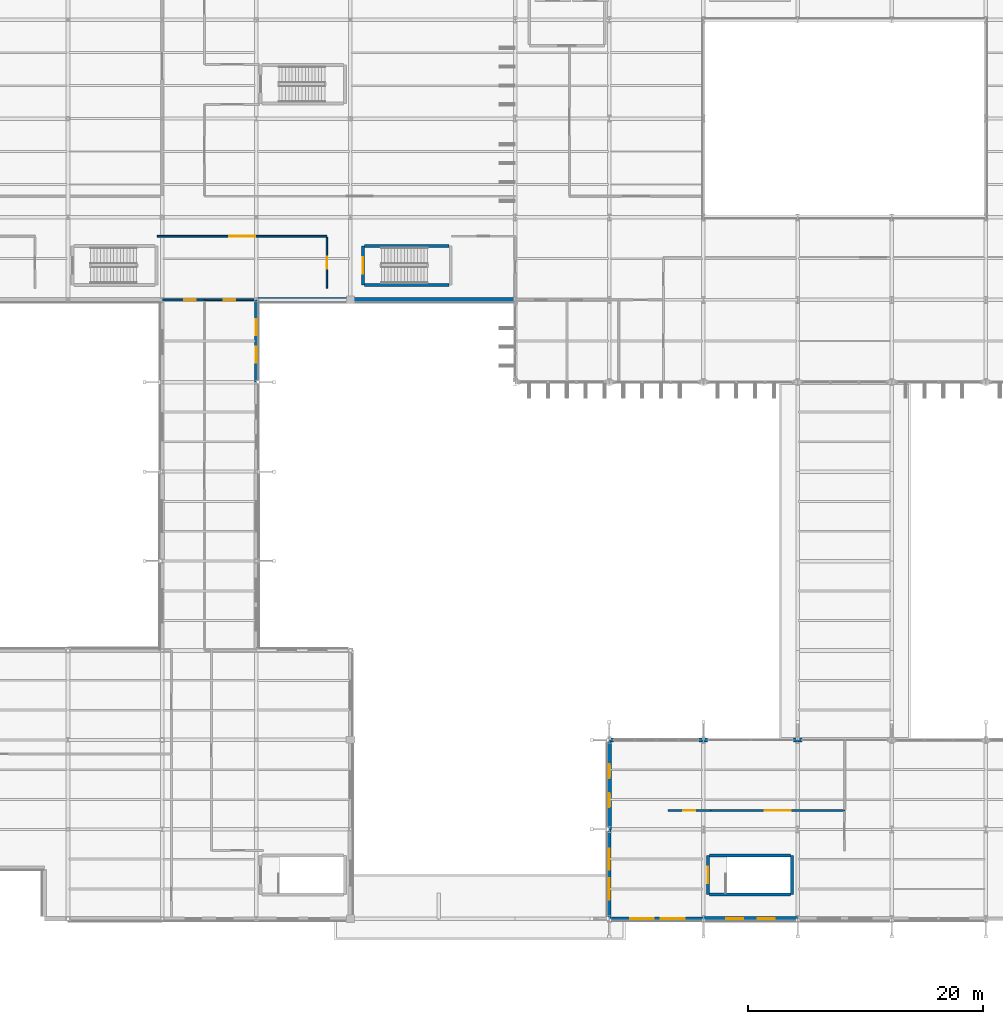
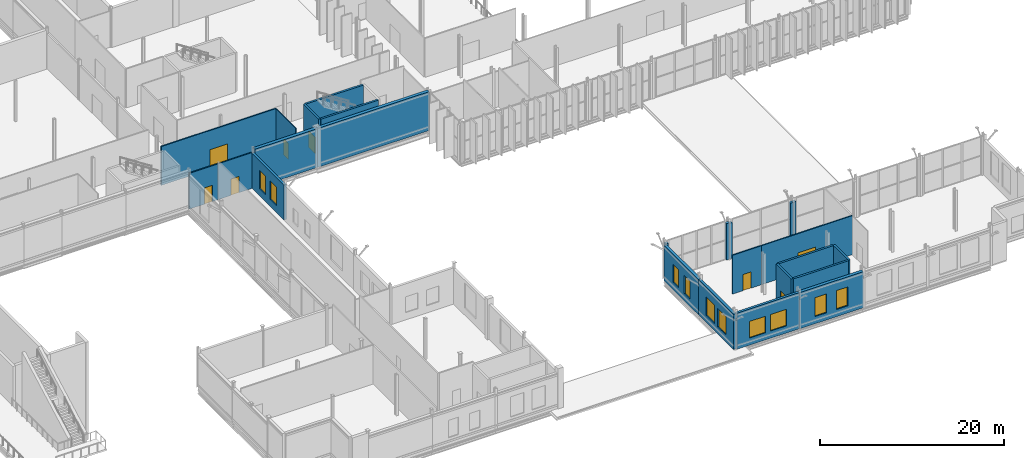
# One storey, part 117 of 147: 25 walls, 10 windows, 8 doors, 18 openings.
"""IFC4 building model written with IfcOpenShell, lengths in metres."""

from ifc_helpers import new_model, si_unit, direction, frame, frame_2d, origin, place, context, subcontext, project, spatial, rectangle, extrude, material, layer, layer_set, type_object, element, fill, save


model = new_model("IFC4")

# Units and contexts
model_context = context("Model", 3, precision=1e-05, world=origin(), true_north=direction((0.0, 1.0)))
body_context = subcontext(model_context, "Body", "Model", "MODEL_VIEW")
ifc_project = project(units=[si_unit("LENGTHUNIT", "METRE"), si_unit("AREAUNIT", "SQUARE_METRE"), si_unit("VOLUMEUNIT", "CUBIC_METRE"), si_unit("PLANEANGLEUNIT", "RADIAN"), si_unit("MASSUNIT", "GRAM", prefix="KILO")], contexts=[model_context])

# Site, building, storey
site_placement = place(None, origin())
site = spatial("IfcSite", under=ifc_project, at=site_placement, CompositionType="ELEMENT")
building_placement = place(site_placement, origin())
building = spatial("IfcBuilding", under=site, at=building_placement, Name="Vekula Escarpment Museum", CompositionType="ELEMENT")
storey_placement = place(building_placement, frame((0.0, 0.0, 7.800048828125)))
storey = spatial("IfcBuildingStorey", under=building, at=storey_placement, Name="L02", CompositionType="ELEMENT", Elevation=7.800048828125)

# Wall, openings, windows
ifc_material_1 = material(Name="Inkisi arkosic sandstone masonry", Category="masonry")
ifc_layer_1 = layer(ifc_material_1, 0.300048828125)
ifc_layer_set_1 = layer_set([ifc_layer_1], Name="Inkisi arkosic sandstone masonry")
wall_type_1 = type_object("IfcWallType", Name="WL-ALM-300", PredefinedType="SOLIDWALL", material=ifc_layer_set_1)
wall_1_placement = place(storey_placement, frame((48.0, 52.60009765625, 0.0), z_axis=(0.0, 0.0, 1.0), x_axis=(0.0, -1.0, 0.0)))
wall_1 = element("IfcWall", 1, at=wall_1_placement, inside=storey, type_object=wall_type_1, Name="Exterior Wall WL-EXT-L02-0327", PredefinedType="SOLIDWALL", context=body_context, shape_type="SweptSolid", body=[
    extrude(rectangle(XDim=7.0, YDim=0.300048828125, at=frame_2d((3.5, 0.0))), origin(), (0.0, 0.0, 1.0), 4.635009765625),
])
opening_1_placement = place(wall_1_placement, frame((1.658203125, 0.0, 0.949951171875)))
opening_1 = element("IfcOpeningElement", 2, at=opening_1_placement, cuts=wall_1, Name="Opening WN-31", PredefinedType="OPENING", context=body_context, shape_type="SweptSolid", body=[
    extrude(rectangle(XDim=1.35009765625, YDim=2.449951171875, at=frame_2d((0.675048828125, 1.22509765625))), frame((0.0, 0.159912109375, 0.0), z_axis=(0.0, -1.0, 0.0), x_axis=(1.0, 0.0, 0.0)), (0.0, 0.0, 1.0), 0.320068359375),
])
opening_2_placement = place(wall_1_placement, frame((3.99169921875, 0.0, 0.949951171875)))
opening_2 = element("IfcOpeningElement", 3, at=opening_2_placement, cuts=wall_1, Name="Opening WN-31", PredefinedType="OPENING", context=body_context, shape_type="SweptSolid", body=[
    extrude(rectangle(XDim=1.35009765625, YDim=2.449951171875, at=frame_2d((0.675048828125, 1.22509765625))), frame((0.0, 0.159912109375, 0.0), z_axis=(0.0, -1.0, 0.0), x_axis=(1.0, 0.0, 0.0)), (0.0, 0.0, 1.0), 0.320068359375),
])
ifc_material_2 = material(Name="Double solar-control low-E glass", Category="glass")
window_type_1 = type_object("IfcWindowType", Name="WN-GAL-13x24", PartitioningType="SINGLE_PANEL", PredefinedType="WINDOW", material=ifc_material_2)
window_1_placement = place(opening_1_placement, origin())
window_1 = element("IfcWindow", 4, at=window_1_placement, inside=storey, type_object=window_type_1, Name="Window L02-0143", OverallHeight=2.449951171875, OverallWidth=1.35009765625, PartitioningType="SINGLE_PANEL", PredefinedType="WINDOW", context=body_context, shape_type="SweptSolid", body=[
    extrude(rectangle(XDim=1.35009765625, YDim=2.449951171875, at=frame_2d((0.675048828125, 1.22509765625))), frame((0.0, 0.030029296875, 0.0), z_axis=(0.0, -1.0, 0.0), x_axis=(1.0, 0.0, 0.0)), (0.0, 0.0, 1.0), 0.06005859375),
])
fill(opening_1, window_1)
window_2_placement = place(opening_2_placement, origin())
window_2 = element("IfcWindow", 5, at=window_2_placement, inside=storey, type_object=window_type_1, Name="Window L02-0144", OverallHeight=2.449951171875, OverallWidth=1.35009765625, PartitioningType="SINGLE_PANEL", PredefinedType="WINDOW", context=body_context, shape_type="SweptSolid", body=[
    extrude(rectangle(XDim=1.35009765625, YDim=2.449951171875, at=frame_2d((0.675048828125, 1.22509765625))), frame((0.0, 0.030029296875, 0.0), z_axis=(0.0, -1.0, 0.0), x_axis=(1.0, 0.0, 0.0)), (0.0, 0.0, 1.0), 0.06005859375),
])
fill(opening_2, window_2)

wall_2_placement = place(storey_placement, frame((86.0, 0.0, 0.0), z_axis=(0.0, 0.0, 1.0), x_axis=(-1.0, 0.0, 0.0)))
wall_2 = element("IfcWall", 6, at=wall_2_placement, inside=storey, type_object=wall_type_1, Name="Exterior Wall WL-EXT-L02-0547", PredefinedType="SOLIDWALL", context=body_context, shape_type="SweptSolid", body=[
    extrude(rectangle(XDim=7.8359375, YDim=0.300048828125, at=frame_2d((3.91796875, 0.0))), origin(), (0.0, 0.0, 1.0), 4.794921875),
])
opening_3_placement = place(wall_2_placement, frame((1.612060546875, 0.0, 0.949951171875)))
opening_3 = element("IfcOpeningElement", 7, at=opening_3_placement, cuts=wall_2, Name="Opening WN-13", PredefinedType="OPENING", context=body_context, shape_type="SweptSolid", body=[
    extrude(rectangle(XDim=2.0, YDim=2.199951171875, at=frame_2d((1.0, 1.10009765625))), frame((0.0, 0.159912109375, 0.0), z_axis=(0.0, -1.0, 0.0), x_axis=(1.0, 0.0, 0.0)), (0.0, 0.0, 1.0), 0.320068359375),
])
opening_4_placement = place(wall_2_placement, frame((4.22412109375, 0.0, 0.949951171875)))
opening_4 = element("IfcOpeningElement", 8, at=opening_4_placement, cuts=wall_2, Name="Opening WN-13", PredefinedType="OPENING", context=body_context, shape_type="SweptSolid", body=[
    extrude(rectangle(XDim=2.0, YDim=2.199951171875, at=frame_2d((1.0, 1.10009765625))), frame((0.0, 0.159912109375, 0.0), z_axis=(0.0, -1.0, 0.0), x_axis=(1.0, 0.0, 0.0)), (0.0, 0.0, 1.0), 0.320068359375),
])
ifc_material_3 = material(Name="Double solar-control low-E glass", Category="glass")
window_type_2 = type_object("IfcWindowType", Name="WN-SEMINAR-20x22", PartitioningType="DOUBLE_PANEL_VERTICAL", PredefinedType="WINDOW", material=ifc_material_3)
window_3_placement = place(opening_3_placement, origin())
window_3 = element("IfcWindow", 9, at=window_3_placement, inside=storey, type_object=window_type_2, Name="Window L02-0248", OverallHeight=2.199951171875, OverallWidth=2.0, PartitioningType="SINGLE_PANEL", PredefinedType="WINDOW", context=body_context, shape_type="SweptSolid", body=[
    extrude(rectangle(XDim=2.0, YDim=2.199951171875, at=frame_2d((1.0, 1.10009765625))), frame((0.0, 0.030029296875, 0.0), z_axis=(0.0, -1.0, 0.0), x_axis=(1.0, 0.0, 0.0)), (0.0, 0.0, 1.0), 0.06005859375),
])
fill(opening_3, window_3)
window_4_placement = place(opening_4_placement, origin())
window_4 = element("IfcWindow", 10, at=window_4_placement, inside=storey, type_object=window_type_2, Name="Window L02-0249", OverallHeight=2.199951171875, OverallWidth=2.0, PartitioningType="SINGLE_PANEL", PredefinedType="WINDOW", context=body_context, shape_type="SweptSolid", body=[
    extrude(rectangle(XDim=2.0, YDim=2.199951171875, at=frame_2d((1.0, 1.10009765625))), frame((0.0, 0.030029296875, 0.0), z_axis=(0.0, -1.0, 0.0), x_axis=(1.0, 0.0, 0.0)), (0.0, 0.0, 1.0), 0.06005859375),
])
fill(opening_4, window_4)

ifc_material_4 = material(Name="Inkisi arkosic sandstone masonry", Category="masonry")
ifc_layer_2 = layer(ifc_material_4, 0.320068359375)
ifc_layer_set_2 = layer_set([ifc_layer_2], Name="Inkisi arkosic sandstone masonry")
wall_type_2 = type_object("IfcWallType", Name="WL-ALM-320", PredefinedType="SOLIDWALL", material=ifc_layer_set_2)
wall_3_placement = place(storey_placement, frame((78.0, 0.0, 0.0), z_axis=(0.0, 0.0, 1.0), x_axis=(0.0, 1.0, 0.0)))
wall_3 = element("IfcWall", 11, at=wall_3_placement, inside=storey, type_object=wall_type_2, Name="Exterior Wall WL-EXT-L02-0546", PredefinedType="SOLIDWALL", context=body_context, shape_type="SweptSolid", body=[
    extrude(rectangle(XDim=7.60009765625, YDim=0.320068359375, at=frame_2d((3.800048828125, 0.0))), origin(), (0.0, 0.0, 1.0), 4.68505859375),
])
opening_5_placement = place(wall_3_placement, frame((1.63330078125, 0.0, 0.949951171875)))
opening_5 = element("IfcOpeningElement", 12, at=opening_5_placement, cuts=wall_3, Name="Opening WN-15", PredefinedType="OPENING", context=body_context, shape_type="SweptSolid", body=[
    extrude(rectangle(XDim=1.800048828125, YDim=2.39990234375, at=frame_2d((0.89990234375, 1.199951171875))), frame((0.0, 0.169921875, 0.0), z_axis=(0.0, -1.0, 0.0), x_axis=(1.0, 0.0, 0.0)), (0.0, 0.0, 1.0), 0.340087890625),
])
opening_6_placement = place(wall_3_placement, frame((4.166748046875, 0.0, 0.949951171875)))
opening_6 = element("IfcOpeningElement", 13, at=opening_6_placement, cuts=wall_3, Name="Opening WN-15", PredefinedType="OPENING", context=body_context, shape_type="SweptSolid", body=[
    extrude(rectangle(XDim=1.800048828125, YDim=2.39990234375, at=frame_2d((0.89990234375, 1.199951171875))), frame((0.0, 0.169921875, 0.0), z_axis=(0.0, -1.0, 0.0), x_axis=(1.0, 0.0, 0.0)), (0.0, 0.0, 1.0), 0.340087890625),
])
ifc_material_5 = material(Name="Double solar-control low-E glass", Category="glass")
window_type_3 = type_object("IfcWindowType", Name="WN-LIB-18x24", PartitioningType="DOUBLE_PANEL_VERTICAL", PredefinedType="WINDOW", material=ifc_material_5)
window_5_placement = place(opening_5_placement, origin())
window_5 = element("IfcWindow", 14, at=window_5_placement, inside=storey, type_object=window_type_3, Name="Window L02-0246", OverallHeight=2.39990234375, OverallWidth=1.800048828125, PartitioningType="SINGLE_PANEL", PredefinedType="WINDOW", context=body_context, shape_type="SweptSolid", body=[
    extrude(rectangle(XDim=1.800048828125, YDim=2.39990234375, at=frame_2d((0.89990234375, 1.199951171875))), frame((0.0, 0.030029296875, 0.0), z_axis=(0.0, -1.0, 0.0), x_axis=(1.0, 0.0, 0.0)), (0.0, 0.0, 1.0), 0.06005859375),
])
fill(opening_5, window_5)
window_6_placement = place(opening_6_placement, origin())
window_6 = element("IfcWindow", 15, at=window_6_placement, inside=storey, type_object=window_type_3, Name="Window L02-0247", OverallHeight=2.39990234375, OverallWidth=1.800048828125, PartitioningType="SINGLE_PANEL", PredefinedType="WINDOW", context=body_context, shape_type="SweptSolid", body=[
    extrude(rectangle(XDim=1.800048828125, YDim=2.39990234375, at=frame_2d((0.89990234375, 1.199951171875))), frame((0.0, 0.030029296875, 0.0), z_axis=(0.0, -1.0, 0.0), x_axis=(1.0, 0.0, 0.0)), (0.0, 0.0, 1.0), 0.06005859375),
])
fill(opening_6, window_6)

# Walls
ifc_material_6 = material(Name="Inkisi arkosic sandstone masonry", Category="masonry")
ifc_layer_3 = layer(ifc_material_6, 0.35009765625)
ifc_layer_set_3 = layer_set([ifc_layer_3], Name="Inkisi arkosic sandstone masonry")
wall_type_3 = type_object("IfcWallType", Name="WL-ALM-350", PredefinedType="SOLIDWALL", material=ifc_layer_set_3)
for number, where, z_axis, x_axis, name in (
    (16, (94.360107421875, 15.199951171875, 0.0), (0.0, 0.0, 1.0), (-1.0, 0.0, 0.0), "Facade Jamb Pier L02-0540B"),
    (17, (94.0, 15.199951171875, 0.0), (0.0, 0.0, 1.0), (-1.0, 0.0, 0.0), "Facade Jamb Pier L02-0541A"),
    (18, (86.360107421875, 15.199951171875, 0.0), (0.0, 0.0, 1.0), (-1.0, 0.0, 0.0), "Facade Jamb Pier L02-0542B"),
):
    element("IfcWall", number, at=place(storey_placement, frame(where, z_axis=z_axis, x_axis=x_axis)), inside=storey, type_object=wall_type_3, Name=name, PredefinedType="SOLIDWALL", context=body_context, shape_type="SweptSolid", body=[
        extrude(rectangle(XDim=0.360107421875, YDim=0.35009765625, at=frame_2d((0.18017578125, 0.0))), origin(), (0.0, 0.0, 1.0), 4.73486328125),
    ])
for number, where, z_axis, x_axis, name in (
    (19, (86.0, 15.199951171875, 0.0), (0.0, 0.0, 1.0), (-1.0, 0.0, 0.0), "Facade Jamb Pier L02-0543A"),
    (20, (78.360107421875, 15.199951171875, 0.0), (0.0, 0.0, 1.0), (-1.0, 0.0, 0.0), "Facade Jamb Pier L02-0544B"),
):
    element("IfcWall", number, at=place(storey_placement, frame(where, z_axis=z_axis, x_axis=x_axis)), inside=storey, type_object=wall_type_3, Name=name, PredefinedType="SOLIDWALL", context=body_context, shape_type="SweptSolid", body=[
        extrude(rectangle(XDim=0.360107421875, YDim=0.35009765625, at=frame_2d((0.18017578125, 0.0))), origin(), (0.0, 0.0, 1.0), 4.824951171875),
    ])

# Wall, openings, windows
wall_4_placement = place(storey_placement, frame((78.0, 7.60009765625, 0.0), z_axis=(0.0, 0.0, 1.0), x_axis=(0.0, 1.0, 0.0)))
wall_4 = element("IfcWall", 21, at=wall_4_placement, inside=storey, type_object=wall_type_3, Name="Exterior Wall WL-EXT-L02-0545", PredefinedType="SOLIDWALL", context=body_context, shape_type="SweptSolid", body=[
    extrude(rectangle(XDim=7.4208984375, YDim=0.35009765625, at=frame_2d((3.71044921875, 0.0))), origin(), (0.0, 0.0, 1.0), 4.68505859375),
])
opening_7_placement = place(wall_4_placement, frame((1.873779296875, 0.0, 0.949951171875)))
opening_7 = element("IfcOpeningElement", 22, at=opening_7_placement, cuts=wall_4, Name="Opening WN-11", PredefinedType="OPENING", context=body_context, shape_type="SweptSolid", body=[
    extrude(rectangle(XDim=1.199951171875, YDim=2.39990234375, at=frame_2d((0.60009765625, 1.199951171875))), frame((0.0, 0.18505859375, 0.0), z_axis=(0.0, -1.0, 0.0), x_axis=(1.0, 0.0, 0.0)), (0.0, 0.0, 1.0), 0.3701171875),
])
opening_8_placement = place(wall_4_placement, frame((4.347412109375, 0.0, 0.949951171875)))
opening_8 = element("IfcOpeningElement", 23, at=opening_8_placement, cuts=wall_4, Name="Opening WN-11", PredefinedType="OPENING", context=body_context, shape_type="SweptSolid", body=[
    extrude(rectangle(XDim=1.199951171875, YDim=2.39990234375, at=frame_2d((0.60009765625, 1.199951171875))), frame((0.0, 0.18505859375, 0.0), z_axis=(0.0, -1.0, 0.0), x_axis=(1.0, 0.0, 0.0)), (0.0, 0.0, 1.0), 0.3701171875),
])
ifc_material_7 = material(Name="Double solar-control low-E glass", Category="glass")
window_type_4 = type_object("IfcWindowType", Name="WN-COURTYARD-12x24", PartitioningType="SINGLE_PANEL", PredefinedType="WINDOW", material=ifc_material_7)
window_7_placement = place(opening_7_placement, origin())
window_7 = element("IfcWindow", 24, at=window_7_placement, inside=storey, type_object=window_type_4, Name="Window L02-0244", OverallHeight=2.39990234375, OverallWidth=1.199951171875, PartitioningType="SINGLE_PANEL", PredefinedType="WINDOW", context=body_context, shape_type="SweptSolid", body=[
    extrude(rectangle(XDim=1.199951171875, YDim=2.39990234375, at=frame_2d((0.60009765625, 1.199951171875))), frame((0.0, 0.030029296875, 0.0), z_axis=(0.0, -1.0, 0.0), x_axis=(1.0, 0.0, 0.0)), (0.0, 0.0, 1.0), 0.06005859375),
])
fill(opening_7, window_7)
window_8_placement = place(opening_8_placement, origin())
window_8 = element("IfcWindow", 25, at=window_8_placement, inside=storey, type_object=window_type_4, Name="Window L02-0245", OverallHeight=2.39990234375, OverallWidth=1.199951171875, PartitioningType="SINGLE_PANEL", PredefinedType="WINDOW", context=body_context, shape_type="SweptSolid", body=[
    extrude(rectangle(XDim=1.199951171875, YDim=2.39990234375, at=frame_2d((0.60009765625, 1.199951171875))), frame((0.0, 0.030029296875, 0.0), z_axis=(0.0, -1.0, 0.0), x_axis=(1.0, 0.0, 0.0)), (0.0, 0.0, 1.0), 0.06005859375),
])
fill(opening_8, window_8)

ifc_material_8 = material(Name="Inkisi arkosic sandstone masonry", Category="masonry")
ifc_layer_4 = layer(ifc_material_8, 0.3798828125)
ifc_layer_set_4 = layer_set([ifc_layer_4], Name="Inkisi arkosic sandstone masonry")
wall_type_4 = type_object("IfcWallType", Name="WL-ALM-380", PredefinedType="SOLIDWALL", material=ifc_layer_set_4)
wall_5_placement = place(storey_placement, frame((94.0, 0.0, 0.0), z_axis=(0.0, 0.0, 1.0), x_axis=(-1.0, 0.0, 0.0)))
wall_5 = element("IfcWall", 26, at=wall_5_placement, inside=storey, type_object=wall_type_4, Name="Exterior Wall WL-EXT-L02-0548", PredefinedType="SOLIDWALL", context=body_context, shape_type="SweptSolid", body=[
    extrude(rectangle(XDim=8.0, YDim=0.3798828125, at=frame_2d((4.0, 0.0))), origin(), (0.0, 0.0, 1.0), 4.794921875),
])
opening_9_placement = place(wall_5_placement, frame((1.941650390625, 0.0, 0.949951171875)))
opening_9 = element("IfcOpeningElement", 27, at=opening_9_placement, cuts=wall_5, Name="Opening WN-18", PredefinedType="OPENING", context=body_context, shape_type="SweptSolid", body=[
    extrude(rectangle(XDim=1.449951171875, YDim=2.5, at=frame_2d((0.72509765625, 1.25))), frame((0.0, 0.199951171875, 0.0), z_axis=(0.0, -1.0, 0.0), x_axis=(1.0, 0.0, 0.0)), (0.0, 0.0, 1.0), 0.39990234375),
])
opening_10_placement = place(wall_5_placement, frame((4.6083984375, 0.0, 0.949951171875)))
opening_10 = element("IfcOpeningElement", 28, at=opening_10_placement, cuts=wall_5, Name="Opening WN-18", PredefinedType="OPENING", context=body_context, shape_type="SweptSolid", body=[
    extrude(rectangle(XDim=1.449951171875, YDim=2.5, at=frame_2d((0.72509765625, 1.25))), frame((0.0, 0.199951171875, 0.0), z_axis=(0.0, -1.0, 0.0), x_axis=(1.0, 0.0, 0.0)), (0.0, 0.0, 1.0), 0.39990234375),
])
ifc_material_9 = material(Name="Double solar-control low-E glass", Category="glass")
window_type_5 = type_object("IfcWindowType", Name="WN-GAL-14x25", PartitioningType="SINGLE_PANEL", PredefinedType="WINDOW", material=ifc_material_9)
window_9_placement = place(opening_9_placement, origin())
window_9 = element("IfcWindow", 29, at=window_9_placement, inside=storey, type_object=window_type_5, Name="Window L02-0250", OverallHeight=2.5, OverallWidth=1.449951171875, PartitioningType="SINGLE_PANEL", PredefinedType="WINDOW", context=body_context, shape_type="SweptSolid", body=[
    extrude(rectangle(XDim=1.449951171875, YDim=2.5, at=frame_2d((0.72509765625, 1.25))), frame((0.0, 0.030029296875, 0.0), z_axis=(0.0, -1.0, 0.0), x_axis=(1.0, 0.0, 0.0)), (0.0, 0.0, 1.0), 0.06005859375),
])
fill(opening_9, window_9)
window_10_placement = place(opening_10_placement, origin())
window_10 = element("IfcWindow", 30, at=window_10_placement, inside=storey, type_object=window_type_5, Name="Window L02-0251", OverallHeight=2.5, OverallWidth=1.449951171875, PartitioningType="SINGLE_PANEL", PredefinedType="WINDOW", context=body_context, shape_type="SweptSolid", body=[
    extrude(rectangle(XDim=1.449951171875, YDim=2.5, at=frame_2d((0.72509765625, 1.25))), frame((0.0, 0.030029296875, 0.0), z_axis=(0.0, -1.0, 0.0), x_axis=(1.0, 0.0, 0.0)), (0.0, 0.0, 1.0), 0.06005859375),
])
fill(opening_10, window_10)

# Walls
ifc_material_10 = material(Name="Concrete C35/45", Category="concrete")
ifc_layer_5 = layer(ifc_material_10, 0.39990234375)
ifc_layer_set_5 = layer_set([ifc_layer_5], Name="Concrete C35/45")
wall_type_5 = type_object("IfcWallType", Name="WL-ARC-400", PredefinedType="SOLIDWALL", material=ifc_layer_set_5)
wall_6_placement = place(storey_placement, frame((56.0, 52.60009765625, 0.0), z_axis=(0.0, 0.0, 1.0), x_axis=(-1.0, 0.0, 0.0)))
element("IfcWall", 31, at=wall_6_placement, inside=storey, type_object=wall_type_5, Name="Exterior Wall WL-EXT-L02-0328", PredefinedType="SOLIDWALL", context=body_context, shape_type="SweptSolid", body=[
    extrude(rectangle(XDim=7.845947265625, YDim=0.39990234375, at=frame_2d((3.9228515625, 0.0))), origin(), (0.0, 0.0, 1.0), 5.14990234375),
])
wall_7_placement = place(storey_placement, frame((70.0, 52.60009765625, 0.0), z_axis=(0.0, 0.0, 1.0), x_axis=(-1.0, 0.0, 0.0)))
element("IfcWall", 32, at=wall_7_placement, inside=storey, type_object=wall_type_5, Name="Exterior Wall WL-EXT-L02-0329", PredefinedType="SOLIDWALL", context=body_context, shape_type="SweptSolid", body=[
    extrude(rectangle(XDim=14.0, YDim=0.39990234375, at=frame_2d((7.0, 0.0))), origin(), (0.0, 0.0, 1.0), 5.14990234375),
])

# Wall, opening, door
ifc_material_11 = material(Name="Concrete C35/45", Category="concrete")
ifc_layer_6 = layer(ifc_material_11, 0.25)
ifc_layer_set_6 = layer_set([ifc_layer_6], Name="Concrete C35/45")
wall_type_6 = type_object("IfcWallType", Name="WL-CORE-250", PredefinedType="SHEAR", material=ifc_layer_set_6)
wall_8_placement = place(storey_placement, frame((57.074951171875, 53.875, 0.0), z_axis=(0.0, 0.0, 1.0), x_axis=(0.0, 1.0, 0.0)))
wall_8 = element("IfcWall", 33, at=wall_8_placement, inside=storey, type_object=wall_type_6, Name="Stair Core Wall ST-01 L02 W", PredefinedType="SHEAR", context=body_context, shape_type="SweptSolid", body=[
    extrude(rectangle(XDim=3.2900390625, YDim=0.25, at=frame_2d((1.64501953125, 0.0))), origin(), (0.0, 0.0, 1.0), 5.14990234375),
])
opening_11_placement = place(wall_8_placement, frame((0.945068359375, 0.0, 0.0)))
opening_11 = element("IfcOpeningElement", 34, at=opening_11_placement, cuts=wall_8, Name="Opening DR-FD60", PredefinedType="OPENING", context=body_context, shape_type="SweptSolid", body=[
    extrude(rectangle(XDim=1.39990234375, YDim=2.199951171875, at=frame_2d((0.699951171875, 1.10009765625))), frame((0.0, 0.135009765625, 0.0), z_axis=(0.0, -1.0, 0.0), x_axis=(1.0, 0.0, 0.0)), (0.0, 0.0, 1.0), 0.27001953125),
])
ifc_material_12 = material(Name="Fire-rated steel stair door", Category="steel")
door_type_1 = type_object("IfcDoorType", Name="DR-STAIR-1400x2200", OperationType="NOTDEFINED", PredefinedType="DOOR", material=ifc_material_12)
door_1_placement = place(opening_11_placement, origin())
door_1 = element("IfcDoor", 35, at=door_1_placement, inside=storey, type_object=door_type_1, Name="Protected Exit Stair Door ST-01 L02", OperationType="SINGLE_SWING_RIGHT", OverallHeight=2.199951171875, OverallWidth=1.39990234375, PredefinedType="DOOR", context=body_context, shape_type="SweptSolid", body=[
    extrude(rectangle(XDim=1.39990234375, YDim=2.199951171875, at=frame_2d((0.699951171875, 1.10009765625))), frame((0.0, 0.02490234375, 0.0), z_axis=(0.0, -1.0, 0.0), x_axis=(1.0, 0.0, 0.0)), (0.0, 0.0, 1.0), 0.050048828125),
])
fill(opening_11, door_1)

# Walls
for number, where, z_axis, x_axis, name in (
    (36, (57.2041015625, 53.875, 0.0), (0.0, 0.0, 1.0), (1.0, 0.0, 0.0), "Stair Core Wall ST-01 L02 S"),
    (37, (57.2041015625, 57.1650390625, 0.0), (0.0, 0.0, 1.0), (1.0, 0.0, 0.0), "Stair Core Wall ST-01 L02 N"),
):
    element("IfcWall", number, at=place(storey_placement, frame(where, z_axis=z_axis, x_axis=x_axis)), inside=storey, type_object=wall_type_6, Name=name, PredefinedType="SHEAR", context=body_context, shape_type="SweptSolid", body=[
        extrude(rectangle(XDim=7.19189453125, YDim=0.25, at=frame_2d((3.595947265625, 0.0))), origin(), (0.0, 0.0, 1.0), 5.14990234375),
    ])

# Wall, opening, door
wall_9_placement = place(storey_placement, frame((86.375, 2.074951171875, 0.0), z_axis=(0.0, 0.0, 1.0), x_axis=(0.0, 1.0, 0.0)))
wall_9 = element("IfcWall", 38, at=wall_9_placement, inside=storey, type_object=wall_type_6, Name="Stair Core Wall ST-11 L02 W", PredefinedType="SHEAR", context=body_context, shape_type="SweptSolid", body=[
    extrude(rectangle(XDim=3.2900390625, YDim=0.25, at=frame_2d((1.64501953125, 0.0))), origin(), (0.0, 0.0, 1.0), 5.14990234375),
])
opening_12_placement = place(wall_9_placement, frame((0.945068359375, 0.0, 0.0)))
opening_12 = element("IfcOpeningElement", 39, at=opening_12_placement, cuts=wall_9, Name="Opening DR-FD60", PredefinedType="OPENING", context=body_context, shape_type="SweptSolid", body=[
    extrude(rectangle(XDim=1.39990234375, YDim=2.199951171875, at=frame_2d((0.699951171875, 1.10009765625))), frame((0.0, 0.135009765625, 0.0), z_axis=(0.0, -1.0, 0.0), x_axis=(1.0, 0.0, 0.0)), (0.0, 0.0, 1.0), 0.27001953125),
])
door_2_placement = place(opening_12_placement, origin())
door_2 = element("IfcDoor", 40, at=door_2_placement, inside=storey, type_object=door_type_1, Name="Protected Exit Stair Door ST-11 L02", OperationType="SINGLE_SWING_RIGHT", OverallHeight=2.199951171875, OverallWidth=1.39990234375, PredefinedType="DOOR", context=body_context, shape_type="SweptSolid", body=[
    extrude(rectangle(XDim=1.39990234375, YDim=2.199951171875, at=frame_2d((0.699951171875, 1.10009765625))), frame((0.0, 0.02490234375, 0.0), z_axis=(0.0, -1.0, 0.0), x_axis=(1.0, 0.0, 0.0)), (0.0, 0.0, 1.0), 0.050048828125),
])
fill(opening_12, door_2)

# Walls
wall_10_placement = place(storey_placement, frame((93.52490234375, 2.074951171875, 0.0), z_axis=(0.0, 0.0, 1.0), x_axis=(0.0, 1.0, 0.0)))
element("IfcWall", 41, at=wall_10_placement, inside=storey, type_object=wall_type_6, Name="Stair Core Wall ST-11 L02 E", PredefinedType="SHEAR", context=body_context, shape_type="SweptSolid", body=[
    extrude(rectangle(XDim=3.2900390625, YDim=0.25, at=frame_2d((1.64501953125, 0.0))), origin(), (0.0, 0.0, 1.0), 5.14990234375),
])
for number, where, z_axis, x_axis, name in (
    (42, (86.50390625, 2.074951171875, 0.0), (0.0, 0.0, 1.0), (1.0, 0.0, 0.0), "Stair Core Wall ST-11 L02 S"),
    (43, (86.50390625, 5.364990234375, 0.0), (0.0, 0.0, 1.0), (1.0, 0.0, 0.0), "Stair Core Wall ST-11 L02 N"),
):
    element("IfcWall", number, at=place(storey_placement, frame(where, z_axis=z_axis, x_axis=x_axis)), inside=storey, type_object=wall_type_6, Name=name, PredefinedType="SHEAR", context=body_context, shape_type="SweptSolid", body=[
        extrude(rectangle(XDim=6.89208984375, YDim=0.25, at=frame_2d((3.446044921875, 0.0))), origin(), (0.0, 0.0, 1.0), 5.14990234375),
    ])

# Wall, opening, door
ifc_material_13 = material(Name="Lightweight studio partition", Category="gypsum")
ifc_layer_7 = layer(ifc_material_13, 0.1201171875)
ifc_layer_set_7 = layer_set([ifc_layer_7], Name="Lightweight studio partition")
wall_type_7 = type_object("IfcWallType", Name="WL-PART-120", PredefinedType="PARTITIONING", material=ifc_layer_set_7)
wall_11_placement = place(storey_placement, frame((54.0, 53.60009765625, 0.0), z_axis=(0.0, 0.0, 1.0), x_axis=(0.0, 1.0, 0.0)))
wall_11 = element("IfcWall", 44, at=wall_11_placement, inside=storey, type_object=wall_type_7, Name="Interior Partition WL-INT-L02-0024", PredefinedType="PARTITIONING", context=body_context, shape_type="SweptSolid", body=[
    extrude(rectangle(XDim=4.31591796875, YDim=0.1201171875, at=frame_2d((2.157958984375, 0.0))), origin(), (0.0, 0.0, 1.0), 5.14990234375),
])
opening_13_placement = place(wall_11_placement, frame((1.657958984375, 0.0, 0.0)))
opening_13 = element("IfcOpeningElement", 45, at=opening_13_placement, cuts=wall_11, Name="Opening DR-OF10", PredefinedType="OPENING", context=body_context, shape_type="SweptSolid", body=[
    extrude(rectangle(XDim=1.0, YDim=2.14990234375, at=frame_2d((0.5, 1.074951171875))), frame((0.0, 0.070068359375, 0.0), z_axis=(0.0, -1.0, 0.0), x_axis=(1.0, 0.0, 0.0)), (0.0, 0.0, 1.0), 0.14013671875),
])
ifc_material_14 = material(Name="Solid core timber study door", Category="wood")
door_type_2 = type_object("IfcDoorType", Name="DR-OFF-1000x2150", OperationType="NOTDEFINED", PredefinedType="DOOR", material=ifc_material_14)
door_3_placement = place(opening_13_placement, origin())
door_3 = element("IfcDoor", 46, at=door_3_placement, inside=storey, type_object=door_type_2, Name="Interior Door L02-022", OperationType="SINGLE_SWING_RIGHT", OverallHeight=2.14990234375, OverallWidth=1.0, PredefinedType="DOOR", context=body_context, shape_type="SweptSolid", body=[
    extrude(rectangle(XDim=1.0, YDim=2.14990234375, at=frame_2d((0.5, 1.074951171875))), frame((0.0, 0.02490234375, 0.0), z_axis=(0.0, -1.0, 0.0), x_axis=(1.0, 0.0, 0.0)), (0.0, 0.0, 1.0), 0.050048828125),
])
fill(opening_13, door_3)

ifc_material_15 = material(Name="Gypsum board dry-lined partition", Category="gypsum")
ifc_layer_8 = layer(ifc_material_15, 0.14990234375)
ifc_layer_set_8 = layer_set([ifc_layer_8], Name="Gypsum board dry-lined partition")
wall_type_8 = type_object("IfcWallType", Name="WL-PART-150", PredefinedType="PARTITIONING", material=ifc_layer_set_8)
wall_12_placement = place(storey_placement, frame((43.60009765625, 52.60009765625, 0.0), z_axis=(0.0, 0.0, 1.0), x_axis=(1.0, 0.0, 0.0)))
wall_12 = element("IfcWall", 47, at=wall_12_placement, inside=storey, type_object=wall_type_8, Name="Interior Partition WL-INT-L02-0026", PredefinedType="PARTITIONING", context=body_context, shape_type="SweptSolid", body=[
    extrude(rectangle(XDim=4.245849609375, YDim=0.14990234375, at=frame_2d((2.123046875, 0.0))), origin(), (0.0, 0.0, 1.0), 4.73486328125),
])
opening_14_placement = place(wall_12_placement, frame((1.623046875, 0.0, 0.0)))
opening_14 = element("IfcOpeningElement", 48, at=opening_14_placement, cuts=wall_12, Name="Opening DR-OF10", PredefinedType="OPENING", context=body_context, shape_type="SweptSolid", body=[
    extrude(rectangle(XDim=1.0, YDim=2.14990234375, at=frame_2d((0.5, 1.074951171875))), frame((0.0, 0.0849609375, 0.0), z_axis=(0.0, -1.0, 0.0), x_axis=(1.0, 0.0, 0.0)), (0.0, 0.0, 1.0), 0.169921875),
])
door_4_placement = place(opening_14_placement, origin())
door_4 = element("IfcDoor", 49, at=door_4_placement, inside=storey, type_object=door_type_2, Name="Interior Door L02-024", OperationType="SINGLE_SWING_RIGHT", OverallHeight=2.14990234375, OverallWidth=1.0, PredefinedType="DOOR", context=body_context, shape_type="SweptSolid", body=[
    extrude(rectangle(XDim=1.0, YDim=2.14990234375, at=frame_2d((0.5, 1.074951171875))), frame((0.0, 0.02490234375, 0.0), z_axis=(0.0, -1.0, 0.0), x_axis=(1.0, 0.0, 0.0)), (0.0, 0.0, 1.0), 0.050048828125),
])
fill(opening_14, door_4)

wall_13_placement = place(storey_placement, frame((86.60009765625, 9.199951171875, 0.0), z_axis=(0.0, 0.0, 1.0), x_axis=(1.0, 0.0, 0.0)))
wall_13 = element("IfcWall", 50, at=wall_13_placement, inside=storey, type_object=wall_type_8, Name="Interior Partition WL-INT-L02-0071", PredefinedType="PARTITIONING", context=body_context, shape_type="SweptSolid", body=[
    extrude(rectangle(XDim=11.39990234375, YDim=0.14990234375, at=frame_2d((5.699951171875, 0.0))), origin(), (0.0, 0.0, 1.0), 5.14990234375),
])
opening_15_placement = place(wall_13_placement, frame((4.60009765625, 0.0, 0.0)))
opening_15 = element("IfcOpeningElement", 51, at=opening_15_placement, cuts=wall_13, Name="Opening DR-GL22", PredefinedType="OPENING", context=body_context, shape_type="SweptSolid", body=[
    extrude(rectangle(XDim=2.199951171875, YDim=2.60009765625, at=frame_2d((1.10009765625, 1.300048828125))), frame((0.0, 0.0849609375, 0.0), z_axis=(0.0, -1.0, 0.0), x_axis=(1.0, 0.0, 0.0)), (0.0, 0.0, 1.0), 0.169921875),
])
ifc_material_16 = material(Name="Double acoustic timber gallery door", Category="wood")
door_type_3 = type_object("IfcDoorType", Name="DR-GAL-2200x2600", OperationType="NOTDEFINED", PredefinedType="DOOR", material=ifc_material_16)
door_5_placement = place(opening_15_placement, origin())
door_5 = element("IfcDoor", 52, at=door_5_placement, inside=storey, type_object=door_type_3, Name="Interior Door L02-063", OperationType="SINGLE_SWING_LEFT", OverallHeight=2.60009765625, OverallWidth=2.199951171875, PredefinedType="DOOR", context=body_context, shape_type="SweptSolid", body=[
    extrude(rectangle(XDim=2.199951171875, YDim=2.60009765625, at=frame_2d((1.10009765625, 1.300048828125))), frame((0.0, 0.02490234375, 0.0), z_axis=(0.0, -1.0, 0.0), x_axis=(1.0, 0.0, 0.0)), (0.0, 0.0, 1.0), 0.050048828125),
])
fill(opening_15, door_5)

ifc_material_17 = material(Name="Gypsum board gallery partition", Category="gypsum")
ifc_layer_9 = layer(ifc_material_17, 0.159912109375)
ifc_layer_set_9 = layer_set([ifc_layer_9], Name="Gypsum board gallery partition")
wall_type_9 = type_object("IfcWallType", Name="WL-PART-160", PredefinedType="PARTITIONING", material=ifc_layer_set_9)
wall_14_placement = place(storey_placement, frame((39.60009765625, 58.0, 0.0), z_axis=(0.0, 0.0, 1.0), x_axis=(1.0, 0.0, 0.0)))
wall_14 = element("IfcWall", 53, at=wall_14_placement, inside=storey, type_object=wall_type_9, Name="Interior Partition WL-INT-L02-0016", PredefinedType="PARTITIONING", context=body_context, shape_type="SweptSolid", body=[
    extrude(rectangle(XDim=14.39990234375, YDim=0.159912109375, at=frame_2d((7.199951171875, 0.0))), origin(), (0.0, 0.0, 1.0), 5.14990234375),
])
opening_16_placement = place(wall_14_placement, frame((6.10009765625, 0.0, 0.0)))
opening_16 = element("IfcOpeningElement", 54, at=opening_16_placement, cuts=wall_14, Name="Opening DR-GL22", PredefinedType="OPENING", context=body_context, shape_type="SweptSolid", body=[
    extrude(rectangle(XDim=2.199951171875, YDim=2.60009765625, at=frame_2d((1.10009765625, 1.300048828125))), frame((0.0, 0.08984375, 0.0), z_axis=(0.0, -1.0, 0.0), x_axis=(1.0, 0.0, 0.0)), (0.0, 0.0, 1.0), 0.179931640625),
])
door_6_placement = place(opening_16_placement, origin())
door_6 = element("IfcDoor", 55, at=door_6_placement, inside=storey, type_object=door_type_3, Name="Interior Door L02-014", OperationType="SINGLE_SWING_RIGHT", OverallHeight=2.60009765625, OverallWidth=2.199951171875, PredefinedType="DOOR", context=body_context, shape_type="SweptSolid", body=[
    extrude(rectangle(XDim=2.199951171875, YDim=2.60009765625, at=frame_2d((1.10009765625, 1.300048828125))), frame((0.0, 0.02490234375, 0.0), z_axis=(0.0, -1.0, 0.0), x_axis=(1.0, 0.0, 0.0)), (0.0, 0.0, 1.0), 0.050048828125),
])
fill(opening_16, door_6)

wall_15_placement = place(storey_placement, frame((40.0, 52.60009765625, 0.0), z_axis=(0.0, 0.0, 1.0), x_axis=(1.0, 0.0, 0.0)))
wall_15 = element("IfcWall", 56, at=wall_15_placement, inside=storey, type_object=wall_type_9, Name="Interior Partition WL-INT-L02-0025", PredefinedType="PARTITIONING", context=body_context, shape_type="SweptSolid", body=[
    extrude(rectangle(XDim=3.60009765625, YDim=0.159912109375, at=frame_2d((1.800048828125, 0.0))), origin(), (0.0, 0.0, 1.0), 4.73486328125),
])
opening_17_placement = place(wall_15_placement, frame((1.8701171875, 0.0, 0.0)))
opening_17 = element("IfcOpeningElement", 57, at=opening_17_placement, cuts=wall_15, Name="Opening DR-OF10", PredefinedType="OPENING", context=body_context, shape_type="SweptSolid", body=[
    extrude(rectangle(XDim=1.0, YDim=2.14990234375, at=frame_2d((0.5, 1.074951171875))), frame((0.0, 0.08984375, 0.0), z_axis=(0.0, -1.0, 0.0), x_axis=(1.0, 0.0, 0.0)), (0.0, 0.0, 1.0), 0.179931640625),
])
door_7_placement = place(opening_17_placement, origin())
door_7 = element("IfcDoor", 58, at=door_7_placement, inside=storey, type_object=door_type_2, Name="Interior Door L02-023", OperationType="SINGLE_SWING_LEFT", OverallHeight=2.14990234375, OverallWidth=1.0, PredefinedType="DOOR", context=body_context, shape_type="SweptSolid", body=[
    extrude(rectangle(XDim=1.0, YDim=2.14990234375, at=frame_2d((0.5, 1.074951171875))), frame((0.0, 0.02490234375, 0.0), z_axis=(0.0, -1.0, 0.0), x_axis=(1.0, 0.0, 0.0)), (0.0, 0.0, 1.0), 0.050048828125),
])
fill(opening_17, door_7)

wall_16_placement = place(storey_placement, frame((83.0, 9.199951171875, 0.0), z_axis=(0.0, 0.0, 1.0), x_axis=(1.0, 0.0, 0.0)))
wall_16 = element("IfcWall", 59, at=wall_16_placement, inside=storey, type_object=wall_type_9, Name="Interior Partition WL-INT-L02-0070", PredefinedType="PARTITIONING", context=body_context, shape_type="SweptSolid", body=[
    extrude(rectangle(XDim=3.60009765625, YDim=0.159912109375, at=frame_2d((1.800048828125, 0.0))), origin(), (0.0, 0.0, 1.0), 5.14990234375),
])
opening_18_placement = place(wall_16_placement, frame((1.300048828125, 0.0, 0.0)))
opening_18 = element("IfcOpeningElement", 60, at=opening_18_placement, cuts=wall_16, Name="Opening DR-OF10", PredefinedType="OPENING", context=body_context, shape_type="SweptSolid", body=[
    extrude(rectangle(XDim=1.0, YDim=2.14990234375, at=frame_2d((0.5, 1.074951171875))), frame((0.0, 0.08984375, 0.0), z_axis=(0.0, -1.0, 0.0), x_axis=(1.0, 0.0, 0.0)), (0.0, 0.0, 1.0), 0.179931640625),
])
door_8_placement = place(opening_18_placement, origin())
door_8 = element("IfcDoor", 61, at=door_8_placement, inside=storey, type_object=door_type_2, Name="Interior Door L02-062", OperationType="SINGLE_SWING_RIGHT", OverallHeight=2.14990234375, OverallWidth=1.0, PredefinedType="DOOR", context=body_context, shape_type="SweptSolid", body=[
    extrude(rectangle(XDim=1.0, YDim=2.14990234375, at=frame_2d((0.5, 1.074951171875))), frame((0.0, 0.02490234375, 0.0), z_axis=(0.0, -1.0, 0.0), x_axis=(1.0, 0.0, 0.0)), (0.0, 0.0, 1.0), 0.050048828125),
])
fill(opening_18, door_8)

save(model, "model.ifc")
